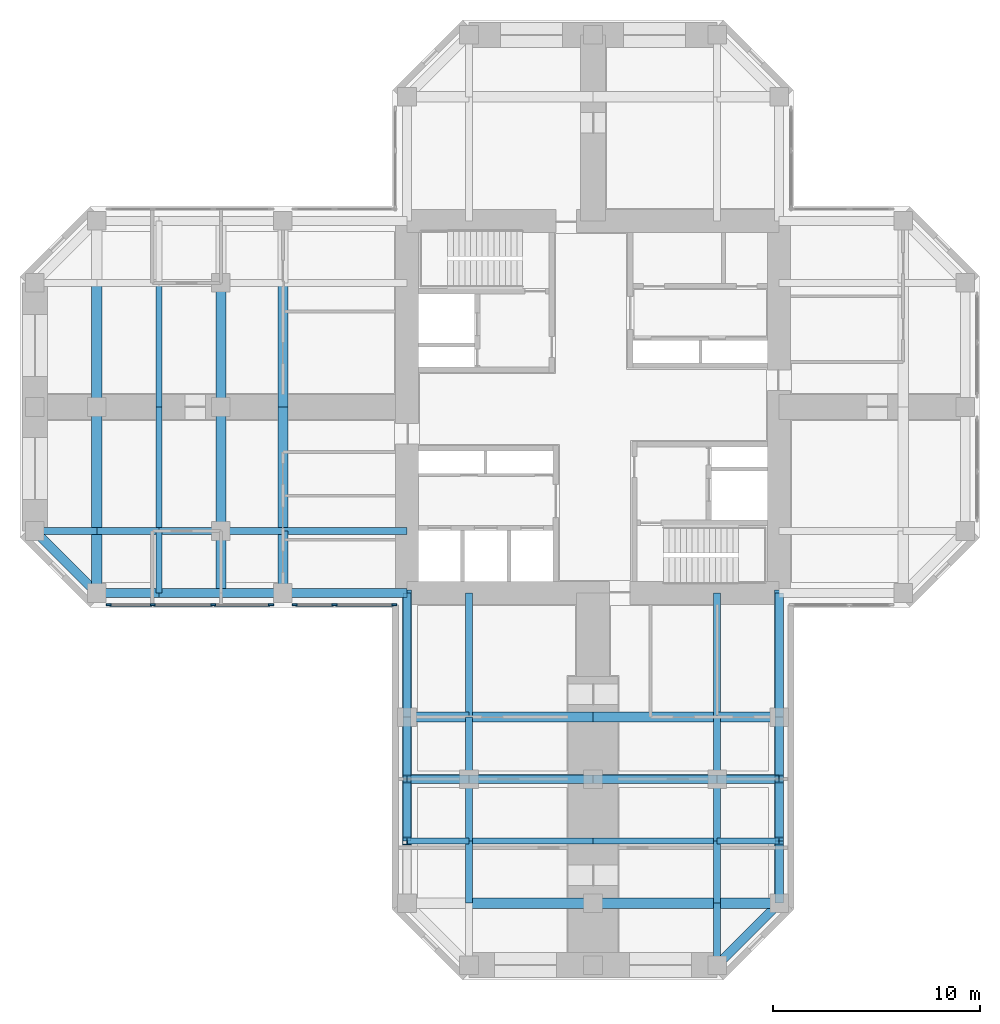
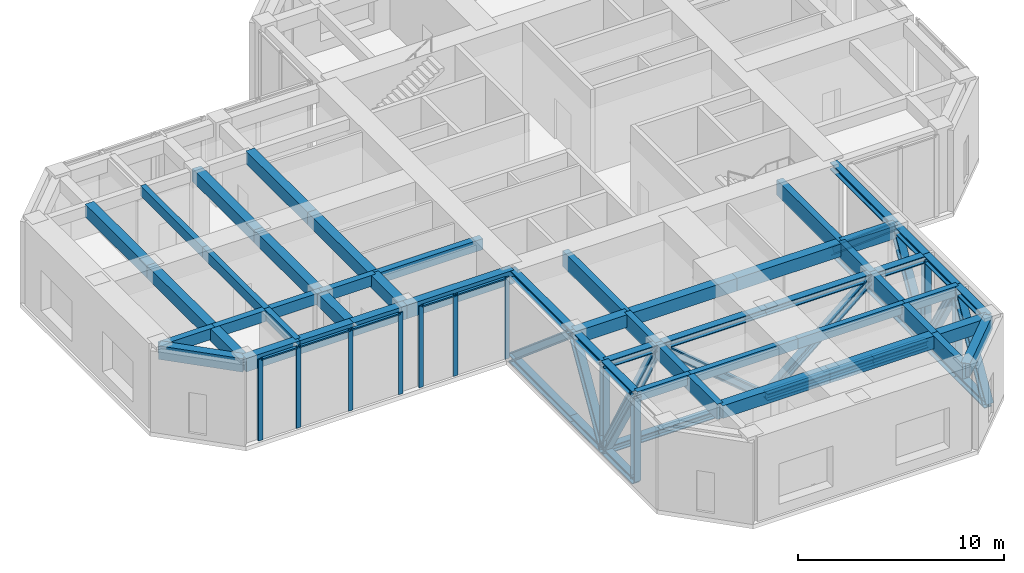
# One storey, part 2 of 10: 49 members, 43 beams, 1 element without a shape of its own.
"""IFC4 building model written with IfcOpenShell, lengths in metres."""

from ifc_helpers import new_model, si_unit, direction, frame, origin, origin_2d, place, context, subcontext, project, spatial, rectangle, i_section, extrude, material, material_profile, profile_set, type_object, element, aggregate, save


model = new_model("IFC4")

# Units and contexts
model_context = context("Model", 3, precision=1e-05, world=origin(), true_north=direction((0.0, 1.0)))
body_context = subcontext(model_context, "Body", "Model", "MODEL_VIEW")
ifc_project = project(units=[si_unit("LENGTHUNIT", "METRE"), si_unit("AREAUNIT", "SQUARE_METRE"), si_unit("VOLUMEUNIT", "CUBIC_METRE"), si_unit("PLANEANGLEUNIT", "RADIAN"), si_unit("MASSUNIT", "GRAM", prefix="KILO")], contexts=[model_context])

# Site, building, storey
site_placement = place(None, origin())
site = spatial("IfcSite", under=ifc_project, at=site_placement, CompositionType="ELEMENT")
building_placement = place(site_placement, origin())
building = spatial("IfcBuilding", under=site, at=building_placement, Name="Torre Cruceta", CompositionType="ELEMENT")
storey_placement = place(building_placement, frame((0.0, 0.0, 217.10009765625)))
storey = spatial("IfcBuildingStorey", under=building, at=storey_placement, Name="L55", CompositionType="ELEMENT", Elevation=217.10009765625)

# Members
ifc_material_1 = material(Name="Steel A913 Gr65", Category="steel")
ifc_material_profile_1 = material_profile(ifc_material_1, i_section(OverallWidth=0.406494140625, OverallDepth=0.41650390625, WebThickness=0.030029296875, FlangeThickness=0.048095703125, at=origin_2d()), Name="W14X257")
ifc_profile_set_1 = profile_set([ifc_material_profile_1], Name="Steel A913 Gr65")
member_type_1 = type_object("IfcMemberType", Name="BELT TRUSS CHORD 3 W14X257", PredefinedType="CHORD", material=ifc_profile_set_1)
for number, where, z_axis, x_axis, name in (
    (1, (-9.0, -9.0, -0.45849609375), (0.0, -1.0, 0.0), (1.0, 0.0, 0.0), "Belt truss 3 S-B1"),
    (2, (-9.0, -9.0, 4.611572265625), (0.0, -1.0, 0.0), (1.0, 0.0, 0.0), "Belt truss 3 S-T1"),
):
    element("IfcMember", number, at=place(storey_placement, frame(where, z_axis=z_axis, x_axis=x_axis)), inside=storey, type_object=member_type_1, Name=name, PredefinedType="CHORD", context=body_context, shape_type="SweptSolid", body=[
        extrude(i_section(OverallWidth=0.406494140625, OverallDepth=0.41650390625, WebThickness=0.030029296875, FlangeThickness=0.048095703125, at=origin_2d()), origin(), (0.0, 0.0, 1.0), 6.0),
    ])
for number, where, z_axis, x_axis, name in (
    (3, (-9.0, -15.0, -0.45849609375), (0.0, -1.0, 0.0), (1.0, 0.0, 0.0), "Belt truss 3 S-B2"),
    (4, (-9.0, -15.0, 4.611572265625), (0.0, -1.0, 0.0), (1.0, 0.0, 0.0), "Belt truss 3 S-T2"),
    (5, (-9.0, -18.0, -0.45849609375), (0.0, -1.0, 0.0), (1.0, 0.0, 0.0), "Belt truss 3 S-B3"),
    (6, (-9.0, -18.0, 4.611572265625), (0.0, -1.0, 0.0), (1.0, 0.0, 0.0), "Belt truss 3 S-T3"),
):
    element("IfcMember", number, at=place(storey_placement, frame(where, z_axis=z_axis, x_axis=x_axis)), inside=storey, type_object=member_type_1, Name=name, PredefinedType="CHORD", context=body_context, shape_type="SweptSolid", body=[
        extrude(i_section(OverallWidth=0.406494140625, OverallDepth=0.41650390625, WebThickness=0.030029296875, FlangeThickness=0.048095703125, at=origin_2d()), origin(), (0.0, 0.0, 1.0), 3.0),
    ])
for number, where, z_axis, x_axis, name in (
    (7, (9.0, -9.0, -0.45849609375), (0.0, -1.0, 0.0), (1.0, 0.0, 0.0), "Belt truss 3 S+B1"),
    (8, (9.0, -9.0, 4.611572265625), (0.0, -1.0, 0.0), (1.0, 0.0, 0.0), "Belt truss 3 S+T1"),
):
    element("IfcMember", number, at=place(storey_placement, frame(where, z_axis=z_axis, x_axis=x_axis)), inside=storey, type_object=member_type_1, Name=name, PredefinedType="CHORD", context=body_context, shape_type="SweptSolid", body=[
        extrude(i_section(OverallWidth=0.406494140625, OverallDepth=0.41650390625, WebThickness=0.030029296875, FlangeThickness=0.048095703125, at=origin_2d()), origin(), (0.0, 0.0, 1.0), 6.0),
    ])
for number, where, z_axis, x_axis, name in (
    (9, (9.0, -15.0, -0.45849609375), (0.0, -1.0, 0.0), (1.0, 0.0, 0.0), "Belt truss 3 S+B2"),
    (10, (9.0, -15.0, 4.611572265625), (0.0, -1.0, 0.0), (1.0, 0.0, 0.0), "Belt truss 3 S+T2"),
    (11, (9.0, -18.0, -0.45849609375), (0.0, -1.0, 0.0), (1.0, 0.0, 0.0), "Belt truss 3 S+B3"),
    (12, (9.0, -18.0, 4.611572265625), (0.0, -1.0, 0.0), (1.0, 0.0, 0.0), "Belt truss 3 S+T3"),
    (13, (9.0, -21.0, -0.45849609375), (0.0, -1.0, 0.0), (1.0, 0.0, 0.0), "Belt truss 3 S+B4"),
    (14, (9.0, -21.0, 4.611572265625), (0.0, -1.0, 0.0), (1.0, 0.0, 0.0), "Belt truss 3 S+T4"),
    (15, (-9.0, -18.0, -0.45849609375), (1.0, 0.0, 0.0), (0.0, 1.0, 0.0), "Belt truss 3 XB1"),
    (16, (-9.0, -18.0, 4.611572265625), (1.0, 0.0, 0.0), (0.0, 1.0, 0.0), "Belt truss 3 XT1"),
):
    element("IfcMember", number, at=place(storey_placement, frame(where, z_axis=z_axis, x_axis=x_axis)), inside=storey, type_object=member_type_1, Name=name, PredefinedType="CHORD", context=body_context, shape_type="SweptSolid", body=[
        extrude(i_section(OverallWidth=0.406494140625, OverallDepth=0.41650390625, WebThickness=0.030029296875, FlangeThickness=0.048095703125, at=origin_2d()), origin(), (0.0, 0.0, 1.0), 3.0),
    ])
for number, where, z_axis, x_axis, name in (
    (17, (-6.0, -18.0, -0.45849609375), (1.0, 0.0, 0.0), (0.0, 1.0, 0.0), "Belt truss 3 XB2"),
    (18, (-6.0, -18.0, 4.611572265625), (1.0, 0.0, 0.0), (0.0, 1.0, 0.0), "Belt truss 3 XT2"),
    (19, (0.0, -18.0, -0.45849609375), (1.0, 0.0, 0.0), (0.0, 1.0, 0.0), "Belt truss 3 XB3"),
    (20, (0.0, -18.0, 4.611572265625), (1.0, 0.0, 0.0), (0.0, 1.0, 0.0), "Belt truss 3 XT3"),
):
    element("IfcMember", number, at=place(storey_placement, frame(where, z_axis=z_axis, x_axis=x_axis)), inside=storey, type_object=member_type_1, Name=name, PredefinedType="CHORD", context=body_context, shape_type="SweptSolid", body=[
        extrude(i_section(OverallWidth=0.406494140625, OverallDepth=0.41650390625, WebThickness=0.030029296875, FlangeThickness=0.048095703125, at=origin_2d()), origin(), (0.0, 0.0, 1.0), 6.0),
    ])
for number, where, z_axis, x_axis, name in (
    (21, (6.0, -18.0, -0.45849609375), (1.0, 0.0, 0.0), (0.0, 1.0, 0.0), "Belt truss 3 XB4"),
    (22, (6.0, -18.0, 4.611572265625), (1.0, 0.0, 0.0), (0.0, 1.0, 0.0), "Belt truss 3 XT4"),
):
    element("IfcMember", number, at=place(storey_placement, frame(where, z_axis=z_axis, x_axis=x_axis)), inside=storey, type_object=member_type_1, Name=name, PredefinedType="CHORD", context=body_context, shape_type="SweptSolid", body=[
        extrude(i_section(OverallWidth=0.406494140625, OverallDepth=0.41650390625, WebThickness=0.030029296875, FlangeThickness=0.048095703125, at=origin_2d()), origin(), (0.0, 0.0, 1.0), 3.0),
    ])
ifc_material_2 = material(Name="Steel A913 Gr65", Category="steel")
ifc_material_profile_2 = material_profile(ifc_material_2, i_section(OverallWidth=0.419189453125, OverallDepth=0.45458984375, WebThickness=0.042236328125, FlangeThickness=0.067626953125, at=origin_2d()), Name="W14X370")
ifc_profile_set_2 = profile_set([ifc_material_profile_2], Name="Steel A913 Gr65")
member_type_2 = type_object("IfcMemberType", Name="BELT TRUSS DIAGONAL 3 W14X370", PredefinedType="BRACE", material=ifc_profile_set_2)
member_1_placement = place(storey_placement, frame((-9.0, -9.0, -0.45849609375), z_axis=(0.0, -0.763816410038, 0.645433568818), x_axis=(1.0, 0.0, 0.0)))
element("IfcMember", 23, at=member_1_placement, inside=storey, type_object=member_type_2, Name="Belt truss 3 S-D1", PredefinedType="BRACE", context=body_context, shape_type="SweptSolid", body=[
    extrude(i_section(OverallWidth=0.419189453125, OverallDepth=0.45458984375, WebThickness=0.042236328125, FlangeThickness=0.067626953125, at=origin_2d()), origin(), (0.0, 0.0, 1.0), 7.855224609375),
])
for number, where, z_axis, x_axis, name in (
    (24, (-9.0, -18.0, -0.45849609375), (0.0, 0.50923883856, 0.860625240916), (-1.0, 0.0, 0.0), "Belt truss 3 S-D2"),
    (25, (-9.0, -18.0, -0.45849609375), (0.0, -0.50923883856, 0.860625240916), (1.0, 0.0, 0.0), "Belt truss 3 S-D3"),
):
    element("IfcMember", number, at=place(storey_placement, frame(where, z_axis=z_axis, x_axis=x_axis)), inside=storey, type_object=member_type_2, Name=name, PredefinedType="BRACE", context=body_context, shape_type="SweptSolid", body=[
        extrude(i_section(OverallWidth=0.419189453125, OverallDepth=0.45458984375, WebThickness=0.042236328125, FlangeThickness=0.067626953125, at=origin_2d()), origin(), (0.0, 0.0, 1.0), 5.89111328125),
    ])
member_2_placement = place(storey_placement, frame((9.0, -9.0, -0.45849609375), z_axis=(0.0, -0.763816410038, 0.645433568818), x_axis=(1.0, 0.0, 0.0)))
element("IfcMember", 26, at=member_2_placement, inside=storey, type_object=member_type_2, Name="Belt truss 3 S+D1", PredefinedType="BRACE", context=body_context, shape_type="SweptSolid", body=[
    extrude(i_section(OverallWidth=0.419189453125, OverallDepth=0.45458984375, WebThickness=0.042236328125, FlangeThickness=0.067626953125, at=origin_2d()), origin(), (0.0, 0.0, 1.0), 7.855224609375),
])
for number, where, z_axis, x_axis, name in (
    (27, (9.0, -18.0, -0.45849609375), (0.0, 0.50923883856, 0.860625240916), (-1.0, 0.0, 0.0), "Belt truss 3 S+D2"),
    (28, (9.0, -18.0, -0.45849609375), (0.0, -0.50923883856, 0.860625240916), (1.0, 0.0, 0.0), "Belt truss 3 S+D3"),
    (29, (9.0, -24.0, -0.45849609375), (0.0, 0.50923883856, 0.860625240916), (-1.0, 0.0, 0.0), "Belt truss 3 S+D4"),
    (30, (-9.0, -18.0, -0.45849609375), (0.50923883856, 0.0, 0.860625240916), (0.0, 1.0, 0.0), "Belt truss 3 XD1"),
):
    element("IfcMember", number, at=place(storey_placement, frame(where, z_axis=z_axis, x_axis=x_axis)), inside=storey, type_object=member_type_2, Name=name, PredefinedType="BRACE", context=body_context, shape_type="SweptSolid", body=[
        extrude(i_section(OverallWidth=0.419189453125, OverallDepth=0.45458984375, WebThickness=0.042236328125, FlangeThickness=0.067626953125, at=origin_2d()), origin(), (0.0, 0.0, 1.0), 5.89111328125),
    ])
for number, where, z_axis, x_axis, name in (
    (31, (0.0, -18.0, -0.45849609375), (-0.763816410038, 0.0, 0.645433568818), (0.0, -1.0, 0.0), "Belt truss 3 XD2"),
    (32, (0.0, -18.0, -0.45849609375), (0.763816410038, 0.0, 0.645433568818), (0.0, 1.0, 0.0), "Belt truss 3 XD3"),
):
    element("IfcMember", number, at=place(storey_placement, frame(where, z_axis=z_axis, x_axis=x_axis)), inside=storey, type_object=member_type_2, Name=name, PredefinedType="BRACE", context=body_context, shape_type="SweptSolid", body=[
        extrude(i_section(OverallWidth=0.419189453125, OverallDepth=0.45458984375, WebThickness=0.042236328125, FlangeThickness=0.067626953125, at=origin_2d()), origin(), (0.0, 0.0, 1.0), 7.855224609375),
    ])
member_3_placement = place(storey_placement, frame((9.0, -18.0, -0.45849609375), z_axis=(-0.50923883856, 0.0, 0.860625240916), x_axis=(0.0, -1.0, 0.0)))
element("IfcMember", 33, at=member_3_placement, inside=storey, type_object=member_type_2, Name="Belt truss 3 XD4", PredefinedType="BRACE", context=body_context, shape_type="SweptSolid", body=[
    extrude(i_section(OverallWidth=0.419189453125, OverallDepth=0.45458984375, WebThickness=0.042236328125, FlangeThickness=0.067626953125, at=origin_2d()), origin(), (0.0, 0.0, 1.0), 5.89111328125),
])
ifc_material_3 = material(Name="Steel A913 Gr65", Category="steel")
ifc_material_profile_3 = material_profile(ifc_material_3, i_section(OverallWidth=0.373291015625, OverallDepth=0.368408203125, WebThickness=0.014892578125, FlangeThickness=0.02392578125, at=origin_2d()), Name="W14X120")
ifc_profile_set_3 = profile_set([ifc_material_profile_3], Name="Steel A913 Gr65")
member_type_3 = type_object("IfcMemberType", Name="BELT TRUSS POST 3 W14X120", PredefinedType="POST", material=ifc_profile_set_3)
for number, where, z_axis, x_axis, name in (
    (34, (-9.0, -18.0, -0.45849609375), (0.0, 0.0, 1.0), (1.0, 0.0, 0.0), "Belt truss 3 S-P18"),
    (35, (-9.0, -21.0, -0.45849609375), (0.0, 0.0, 1.0), (1.0, 0.0, 0.0), "Belt truss 3 S-P21"),
    (36, (9.0, -18.0, -0.45849609375), (0.0, 0.0, 1.0), (1.0, 0.0, 0.0), "Belt truss 3 S+P18"),
    (37, (9.0, -21.0, -0.45849609375), (0.0, 0.0, 1.0), (1.0, 0.0, 0.0), "Belt truss 3 S+P21"),
):
    element("IfcMember", number, at=place(storey_placement, frame(where, z_axis=z_axis, x_axis=x_axis)), inside=storey, type_object=member_type_3, Name=name, PredefinedType="POST", context=body_context, shape_type="SweptSolid", body=[
        extrude(i_section(OverallWidth=0.373291015625, OverallDepth=0.368408203125, WebThickness=0.014892578125, FlangeThickness=0.02392578125, at=origin_2d()), origin(), (0.0, 0.0, 1.0), 5.070068359375),
    ])

# Beams
ifc_material_4 = material(Name="Concrete G60 (fck 60 MPa)", Category="concrete")
ifc_material_profile_4 = material_profile(ifc_material_4, rectangle(XDim=0.35009765625, YDim=0.64990234375, at=origin_2d()), Name="RC 350X650")
ifc_profile_set_4 = profile_set([ifc_material_profile_4], Name="Concrete G60 (fck 60 MPa)")
beam_type_1 = type_object("IfcBeamType", Name="COLUMN LINE BEAM RC 350X650", PredefinedType="BEAM", material=ifc_profile_set_4)
beam_1_placement = place(storey_placement, frame((-9.0, -6.0, 4.494873046875), z_axis=(-1.0, 0.0, 0.0), x_axis=(0.0, -1.0, 0.0)))
element("IfcBeam", 38, at=beam_1_placement, inside=storey, type_object=beam_type_1, Name="LB7 L55 W col+ 1", PredefinedType="BEAM", context=body_context, shape_type="SweptSolid", body=[
    extrude(rectangle(XDim=0.35009765625, YDim=0.64990234375, at=origin_2d()), origin(), (0.0, 0.0, 1.0), 6.0),
])
for number, where, z_axis, x_axis, name in (
    (39, (-15.0, -6.0, 4.494873046875), (-1.0, 0.0, 0.0), (0.0, -1.0, 0.0), "LB7 L55 W col+ 2"),
    (40, (-18.0, -6.0, 4.494873046875), (-1.0, 0.0, 0.0), (0.0, -1.0, 0.0), "LB7 L55 W col+ 3"),
    (41, (-21.0, -6.0, 4.494873046875), (-1.0, 0.0, 0.0), (0.0, -1.0, 0.0), "LB7 L55 W col+ 4"),
    (42, (-24.0, -6.0, 4.494873046875), (-1.0, 0.0, 0.0), (0.0, -1.0, 0.0), "LB7 L55 W col+ 5"),
):
    element("IfcBeam", number, at=place(storey_placement, frame(where, z_axis=z_axis, x_axis=x_axis)), inside=storey, type_object=beam_type_1, Name=name, PredefinedType="BEAM", context=body_context, shape_type="SweptSolid", body=[
        extrude(rectangle(XDim=0.35009765625, YDim=0.64990234375, at=origin_2d()), origin(), (0.0, 0.0, 1.0), 3.0),
    ])
ifc_material_5 = material(Name="Concrete G60 (fck 60 MPa)", Category="concrete")
ifc_material_profile_5 = material_profile(ifc_material_5, rectangle(XDim=0.35009765625, YDim=0.89990234375, at=origin_2d()), Name="RC 350X900")
ifc_profile_set_5 = profile_set([ifc_material_profile_5], Name="Concrete G60 (fck 60 MPa)")
beam_type_2 = type_object("IfcBeamType", Name="COLUMN LINE BEAM RC 350X900", PredefinedType="BEAM", material=ifc_profile_set_5)
beam_2_placement = place(storey_placement, frame((-6.0, -9.0, 4.369873046875), z_axis=(0.0, -1.0, 0.0), x_axis=(1.0, 0.0, 0.0)))
element("IfcBeam", 43, at=beam_2_placement, inside=storey, type_object=beam_type_2, Name="LB8 L55 S col- 1", PredefinedType="BEAM", context=body_context, shape_type="SweptSolid", body=[
    extrude(rectangle(XDim=0.35009765625, YDim=0.89990234375, at=origin_2d()), origin(), (0.0, 0.0, 1.0), 6.0),
])
for number, where, z_axis, x_axis, name in (
    (44, (-6.0, -15.0, 4.369873046875), (0.0, -1.0, 0.0), (1.0, 0.0, 0.0), "LB8 L55 S col- 2"),
    (45, (-6.0, -18.0, 4.369873046875), (0.0, -1.0, 0.0), (1.0, 0.0, 0.0), "LB8 L55 S col- 3"),
    (46, (-6.0, -21.0, 4.369873046875), (0.0, -1.0, 0.0), (1.0, 0.0, 0.0), "LB8 L55 S col- 4"),
):
    element("IfcBeam", number, at=place(storey_placement, frame(where, z_axis=z_axis, x_axis=x_axis)), inside=storey, type_object=beam_type_2, Name=name, PredefinedType="BEAM", context=body_context, shape_type="SweptSolid", body=[
        extrude(rectangle(XDim=0.35009765625, YDim=0.89990234375, at=origin_2d()), origin(), (0.0, 0.0, 1.0), 3.0),
    ])
beam_3_placement = place(storey_placement, frame((6.0, -9.0, 4.369873046875), z_axis=(0.0, -1.0, 0.0), x_axis=(1.0, 0.0, 0.0)))
element("IfcBeam", 47, at=beam_3_placement, inside=storey, type_object=beam_type_2, Name="LB8 L55 S col+ 1", PredefinedType="BEAM", context=body_context, shape_type="SweptSolid", body=[
    extrude(rectangle(XDim=0.35009765625, YDim=0.89990234375, at=origin_2d()), origin(), (0.0, 0.0, 1.0), 6.0),
])
for number, where, z_axis, x_axis, name in (
    (48, (6.0, -15.0, 4.369873046875), (0.0, -1.0, 0.0), (1.0, 0.0, 0.0), "LB8 L55 S col+ 2"),
    (49, (6.0, -18.0, 4.369873046875), (0.0, -1.0, 0.0), (1.0, 0.0, 0.0), "LB8 L55 S col+ 3"),
    (50, (6.0, -21.0, 4.369873046875), (0.0, -1.0, 0.0), (1.0, 0.0, 0.0), "LB8 L55 S col+ 4"),
    (51, (6.0, -24.0, 4.369873046875), (0.0, -1.0, 0.0), (1.0, 0.0, 0.0), "LB8 L55 S col+ 5"),
):
    element("IfcBeam", number, at=place(storey_placement, frame(where, z_axis=z_axis, x_axis=x_axis)), inside=storey, type_object=beam_type_2, Name=name, PredefinedType="BEAM", context=body_context, shape_type="SweptSolid", body=[
        extrude(rectangle(XDim=0.35009765625, YDim=0.89990234375, at=origin_2d()), origin(), (0.0, 0.0, 1.0), 3.0),
    ])
ifc_material_6 = material(Name="Concrete G60 (fck 60 MPa)", Category="concrete")
ifc_material_profile_6 = material_profile(ifc_material_6, rectangle(XDim=0.5, YDim=0.75, at=origin_2d()), Name="RC 500X750")
ifc_profile_set_6 = profile_set([ifc_material_profile_6], Name="Concrete G60 (fck 60 MPa)")
beam_type_3 = type_object("IfcBeamType", Name="CROSS BEAM RC 500X750", PredefinedType="BEAM", material=ifc_profile_set_6)
beam_4_placement = place(storey_placement, frame((-9.0, -15.0, 4.44482421875), z_axis=(1.0, 0.0, 0.0), x_axis=(0.0, 1.0, 0.0)))
element("IfcBeam", 52, at=beam_4_placement, inside=storey, type_object=beam_type_3, Name="GB6 L55 S cross15 1", PredefinedType="BEAM", context=body_context, shape_type="SweptSolid", body=[
    extrude(rectangle(XDim=0.5, YDim=0.75, at=origin_2d()), origin(), (0.0, 0.0, 1.0), 3.0),
])
for number, where, z_axis, x_axis, name in (
    (53, (-6.0, -15.0, 4.44482421875), (1.0, 0.0, 0.0), (0.0, 1.0, 0.0), "GB6 L55 S cross15 2"),
    (54, (0.0, -15.0, 4.44482421875), (1.0, 0.0, 0.0), (0.0, 1.0, 0.0), "GB6 L55 S cross15 3"),
):
    element("IfcBeam", number, at=place(storey_placement, frame(where, z_axis=z_axis, x_axis=x_axis)), inside=storey, type_object=beam_type_3, Name=name, PredefinedType="BEAM", context=body_context, shape_type="SweptSolid", body=[
        extrude(rectangle(XDim=0.5, YDim=0.75, at=origin_2d()), origin(), (0.0, 0.0, 1.0), 6.0),
    ])
beam_5_placement = place(storey_placement, frame((6.0, -15.0, 4.44482421875), z_axis=(1.0, 0.0, 0.0), x_axis=(0.0, 1.0, 0.0)))
element("IfcBeam", 55, at=beam_5_placement, inside=storey, type_object=beam_type_3, Name="GB6 L55 S cross15 4", PredefinedType="BEAM", context=body_context, shape_type="SweptSolid", body=[
    extrude(rectangle(XDim=0.5, YDim=0.75, at=origin_2d()), origin(), (0.0, 0.0, 1.0), 3.0),
])
for number, where, z_axis, x_axis, name in (
    (56, (-6.0, -24.0, 4.44482421875), (1.0, 0.0, 0.0), (0.0, 1.0, 0.0), "GB6 L55 S cross24 2"),
    (57, (0.0, -24.0, 4.44482421875), (1.0, 0.0, 0.0), (0.0, 1.0, 0.0), "GB6 L55 S cross24 3"),
):
    element("IfcBeam", number, at=place(storey_placement, frame(where, z_axis=z_axis, x_axis=x_axis)), inside=storey, type_object=beam_type_3, Name=name, PredefinedType="BEAM", context=body_context, shape_type="SweptSolid", body=[
        extrude(rectangle(XDim=0.5, YDim=0.75, at=origin_2d()), origin(), (0.0, 0.0, 1.0), 6.0),
    ])
beam_6_placement = place(storey_placement, frame((6.0, -24.0, 4.44482421875), z_axis=(1.0, 0.0, 0.0), x_axis=(0.0, 1.0, 0.0)))
element("IfcBeam", 58, at=beam_6_placement, inside=storey, type_object=beam_type_3, Name="GB6 L55 S cross24 4", PredefinedType="BEAM", context=body_context, shape_type="SweptSolid", body=[
    extrude(rectangle(XDim=0.5, YDim=0.75, at=origin_2d()), origin(), (0.0, 0.0, 1.0), 3.0),
])
for number, where, z_axis, x_axis, name in (
    (59, (-15.0, 6.0, 4.44482421875), (0.0, -1.0, 0.0), (1.0, 0.0, 0.0), "GB6 L55 W cross15 2"),
    (60, (-15.0, 0.0, 4.44482421875), (0.0, -1.0, 0.0), (1.0, 0.0, 0.0), "GB6 L55 W cross15 3"),
):
    element("IfcBeam", number, at=place(storey_placement, frame(where, z_axis=z_axis, x_axis=x_axis)), inside=storey, type_object=beam_type_3, Name=name, PredefinedType="BEAM", context=body_context, shape_type="SweptSolid", body=[
        extrude(rectangle(XDim=0.5, YDim=0.75, at=origin_2d()), origin(), (0.0, 0.0, 1.0), 6.0),
    ])
beam_7_placement = place(storey_placement, frame((-15.0, -6.0, 4.44482421875), z_axis=(0.0, -1.0, 0.0), x_axis=(1.0, 0.0, 0.0)))
element("IfcBeam", 61, at=beam_7_placement, inside=storey, type_object=beam_type_3, Name="GB6 L55 W cross15 4", PredefinedType="BEAM", context=body_context, shape_type="SweptSolid", body=[
    extrude(rectangle(XDim=0.5, YDim=0.75, at=origin_2d()), origin(), (0.0, 0.0, 1.0), 3.0),
])
for number, where, z_axis, x_axis, name in (
    (62, (-18.0, 6.0, 4.44482421875), (0.0, -1.0, 0.0), (1.0, 0.0, 0.0), "GB6 L55 W cross18 2"),
    (63, (-18.0, 0.0, 4.44482421875), (0.0, -1.0, 0.0), (1.0, 0.0, 0.0), "GB6 L55 W cross18 3"),
):
    element("IfcBeam", number, at=place(storey_placement, frame(where, z_axis=z_axis, x_axis=x_axis)), inside=storey, type_object=beam_type_3, Name=name, PredefinedType="BEAM", context=body_context, shape_type="SweptSolid", body=[
        extrude(rectangle(XDim=0.5, YDim=0.75, at=origin_2d()), origin(), (0.0, 0.0, 1.0), 6.0),
    ])
beam_8_placement = place(storey_placement, frame((-18.0, -6.0, 4.44482421875), z_axis=(0.0, -1.0, 0.0), x_axis=(1.0, 0.0, 0.0)))
element("IfcBeam", 64, at=beam_8_placement, inside=storey, type_object=beam_type_3, Name="GB6 L55 W cross18 4", PredefinedType="BEAM", context=body_context, shape_type="SweptSolid", body=[
    extrude(rectangle(XDim=0.5, YDim=0.75, at=origin_2d()), origin(), (0.0, 0.0, 1.0), 3.0),
])
for number, where, z_axis, x_axis, name in (
    (65, (-24.0, 6.0, 4.44482421875), (0.0, -1.0, 0.0), (1.0, 0.0, 0.0), "GB6 L55 W cross24 2"),
    (66, (-24.0, 0.0, 4.44482421875), (0.0, -1.0, 0.0), (1.0, 0.0, 0.0), "GB6 L55 W cross24 3"),
):
    element("IfcBeam", number, at=place(storey_placement, frame(where, z_axis=z_axis, x_axis=x_axis)), inside=storey, type_object=beam_type_3, Name=name, PredefinedType="BEAM", context=body_context, shape_type="SweptSolid", body=[
        extrude(rectangle(XDim=0.5, YDim=0.75, at=origin_2d()), origin(), (0.0, 0.0, 1.0), 6.0),
    ])
beam_9_placement = place(storey_placement, frame((-24.0, -6.0, 4.44482421875), z_axis=(0.0, -1.0, 0.0), x_axis=(1.0, 0.0, 0.0)))
element("IfcBeam", 67, at=beam_9_placement, inside=storey, type_object=beam_type_3, Name="GB6 L55 W cross24 4", PredefinedType="BEAM", context=body_context, shape_type="SweptSolid", body=[
    extrude(rectangle(XDim=0.5, YDim=0.75, at=origin_2d()), origin(), (0.0, 0.0, 1.0), 3.0),
])

# Curtain wall, members
ifc_material_7 = material(Name="Aluminium unitised curtain wall", Category="aluminium")
curtain_wall_type = type_object("IfcCurtainWallType", Name="CURTAIN WALL CW-S SKY GARDEN", PredefinedType="USERDEFINED", material=ifc_material_7)
curtain_wall_placement = place(storey_placement, origin())
curtain_wall = element("IfcCurtainWall", 68, at=curtain_wall_placement, inside=storey, type_object=curtain_wall_type, Name="CW-S L55 W side 14", ObjectType="UNITISED", PredefinedType="USERDEFINED")
ifc_material_8 = material(Name="Aluminium mullion", Category="aluminium")
ifc_material_profile_7 = material_profile(ifc_material_8, rectangle(XDim=0.080078125, YDim=0.25, at=origin_2d()), Name="AL 80X250")
ifc_profile_set_7 = profile_set([ifc_material_profile_7], Name="Aluminium mullion")
member_type_4 = type_object("IfcMemberType", Name="CW-S MULLION 80X250", PredefinedType="MULLION", material=ifc_profile_set_7)
member_4_placement = place(storey_placement, frame((-23.424072265625, -9.570068359375, 0.0), z_axis=(0.0, 0.0, 1.0), x_axis=(0.0, 1.0, 0.0)))
member_4 = element("IfcMember", 69, at=member_4_placement, type_object=member_type_4, Name="CW-S mullion 1", PredefinedType="MULLION", context=body_context, shape_type="SweptSolid", body=[
    extrude(rectangle(XDim=0.080078125, YDim=0.25, at=origin_2d()), origin(), (0.0, 0.0, 1.0), 4.81982421875),
])
member_5_placement = place(storey_placement, frame((-21.302978515625, -9.570068359375, 0.0), z_axis=(0.0, 0.0, 1.0), x_axis=(0.0, 1.0, 0.0)))
member_5 = element("IfcMember", 70, at=member_5_placement, type_object=member_type_4, Name="CW-S mullion 2", PredefinedType="MULLION", context=body_context, shape_type="SweptSolid", body=[
    extrude(rectangle(XDim=0.080078125, YDim=0.25, at=origin_2d()), origin(), (0.0, 0.0, 1.0), 4.81982421875),
])
member_6_placement = place(storey_placement, frame((-18.36962890625, -9.570068359375, 0.0), z_axis=(0.0, 0.0, 1.0), x_axis=(0.0, 1.0, 0.0)))
member_6 = element("IfcMember", 71, at=member_6_placement, type_object=member_type_4, Name="CW-S mullion 3", PredefinedType="MULLION", context=body_context, shape_type="SweptSolid", body=[
    extrude(rectangle(XDim=0.080078125, YDim=0.25, at=origin_2d()), origin(), (0.0, 0.0, 1.0), 4.81982421875),
])
member_7_placement = place(storey_placement, frame((-15.575927734375, -9.570068359375, 0.0), z_axis=(0.0, 0.0, 1.0), x_axis=(0.0, 1.0, 0.0)))
member_7 = element("IfcMember", 72, at=member_7_placement, type_object=member_type_4, Name="CW-S mullion 4", PredefinedType="MULLION", context=body_context, shape_type="SweptSolid", body=[
    extrude(rectangle(XDim=0.080078125, YDim=0.25, at=origin_2d()), origin(), (0.0, 0.0, 1.0), 4.81982421875),
])
member_8_placement = place(storey_placement, frame((-14.424072265625, -9.570068359375, 0.0), z_axis=(0.0, 0.0, 1.0), x_axis=(0.0, 1.0, 0.0)))
member_8 = element("IfcMember", 73, at=member_8_placement, type_object=member_type_4, Name="CW-S mullion 5", PredefinedType="MULLION", context=body_context, shape_type="SweptSolid", body=[
    extrude(rectangle(XDim=0.080078125, YDim=0.25, at=origin_2d()), origin(), (0.0, 0.0, 1.0), 4.81982421875),
])
member_9_placement = place(storey_placement, frame((-12.503173828125, -9.570068359375, 0.0), z_axis=(0.0, 0.0, 1.0), x_axis=(0.0, 1.0, 0.0)))
member_9 = element("IfcMember", 74, at=member_9_placement, type_object=member_type_4, Name="CW-S mullion 6", PredefinedType="MULLION", context=body_context, shape_type="SweptSolid", body=[
    extrude(rectangle(XDim=0.080078125, YDim=0.25, at=origin_2d()), origin(), (0.0, 0.0, 1.0), 4.81982421875),
])
member_10_placement = place(storey_placement, frame((-9.610107421875, -9.570068359375, 0.0), z_axis=(0.0, 0.0, 1.0), x_axis=(0.0, 1.0, 0.0)))
member_10 = element("IfcMember", 75, at=member_10_placement, type_object=member_type_4, Name="CW-S mullion 7", PredefinedType="MULLION", context=body_context, shape_type="SweptSolid", body=[
    extrude(rectangle(XDim=0.080078125, YDim=0.25, at=origin_2d()), origin(), (0.0, 0.0, 1.0), 4.81982421875),
])
ifc_material_9 = material(Name="Aluminium transom", Category="aluminium")
ifc_material_profile_8 = material_profile(ifc_material_9, rectangle(XDim=0.14990234375, YDim=0.080078125, at=origin_2d()), Name="AL 150X80")
ifc_profile_set_8 = profile_set([ifc_material_profile_8], Name="Aluminium transom")
member_type_5 = type_object("IfcMemberType", Name="CW-S TRANSOM 80X150", PredefinedType="USERDEFINED", material=ifc_profile_set_8)
member_11_placement = place(storey_placement, frame((-23.384033203125, -9.570068359375, 4.77978515625), z_axis=(1.0, 0.0, 0.0), x_axis=(0.0, 1.0, 0.0)))
member_11 = element("IfcMember", 76, at=member_11_placement, type_object=member_type_5, Name="CW-S transom 1", ObjectType="TRANSOM", PredefinedType="USERDEFINED", context=body_context, shape_type="SweptSolid", body=[
    extrude(rectangle(XDim=0.14990234375, YDim=0.080078125, at=origin_2d()), origin(), (0.0, 0.0, 1.0), 2.041259765625),
])
member_12_placement = place(storey_placement, frame((-21.262939453125, -9.570068359375, 4.77978515625), z_axis=(1.0, 0.0, 0.0), x_axis=(0.0, 1.0, 0.0)))
member_12 = element("IfcMember", 77, at=member_12_placement, type_object=member_type_5, Name="CW-S transom 2", ObjectType="TRANSOM", PredefinedType="USERDEFINED", context=body_context, shape_type="SweptSolid", body=[
    extrude(rectangle(XDim=0.14990234375, YDim=0.080078125, at=origin_2d()), origin(), (0.0, 0.0, 1.0), 2.853271484375),
])
member_13_placement = place(storey_placement, frame((-18.32958984375, -9.570068359375, 4.77978515625), z_axis=(1.0, 0.0, 0.0), x_axis=(0.0, 1.0, 0.0)))
member_13 = element("IfcMember", 78, at=member_13_placement, type_object=member_type_5, Name="CW-S transom 3", ObjectType="TRANSOM", PredefinedType="USERDEFINED", context=body_context, shape_type="SweptSolid", body=[
    extrude(rectangle(XDim=0.14990234375, YDim=0.080078125, at=origin_2d()), origin(), (0.0, 0.0, 1.0), 2.713623046875),
])
member_14_placement = place(storey_placement, frame((-14.384033203125, -9.570068359375, 4.77978515625), z_axis=(1.0, 0.0, 0.0), x_axis=(0.0, 1.0, 0.0)))
member_14 = element("IfcMember", 79, at=member_14_placement, type_object=member_type_5, Name="CW-S transom 4", ObjectType="TRANSOM", PredefinedType="USERDEFINED", context=body_context, shape_type="SweptSolid", body=[
    extrude(rectangle(XDim=0.14990234375, YDim=0.080078125, at=origin_2d()), origin(), (0.0, 0.0, 1.0), 1.8408203125),
])
member_15_placement = place(storey_placement, frame((-12.463134765625, -9.570068359375, 4.77978515625), z_axis=(1.0, 0.0, 0.0), x_axis=(0.0, 1.0, 0.0)))
member_15 = element("IfcMember", 80, at=member_15_placement, type_object=member_type_5, Name="CW-S transom 5", ObjectType="TRANSOM", PredefinedType="USERDEFINED", context=body_context, shape_type="SweptSolid", body=[
    extrude(rectangle(XDim=0.14990234375, YDim=0.080078125, at=origin_2d()), origin(), (0.0, 0.0, 1.0), 2.813232421875),
])
aggregate(curtain_wall, [member_4, member_5, member_6, member_7, member_8, member_9, member_10, member_11, member_12, member_13, member_14, member_15])

# Beams
ifc_material_10 = material(Name="Concrete G60 (fck 60 MPa)", Category="concrete")
ifc_material_profile_9 = material_profile(ifc_material_10, rectangle(XDim=0.300048828125, YDim=0.60009765625, at=origin_2d()), Name="RC 300X600")
ifc_profile_set_9 = profile_set([ifc_material_profile_9], Name="Concrete G60 (fck 60 MPa)")
beam_type_4 = type_object("IfcBeamType", Name="SECONDARY BEAM RC 300X600", PredefinedType="JOIST", material=ifc_profile_set_9)
beam_10_placement = place(storey_placement, frame((-9.0, -21.0, 4.52001953125), z_axis=(1.0, 0.0, 0.0), x_axis=(0.0, 1.0, 0.0)))
element("IfcBeam", 81, at=beam_10_placement, inside=storey, type_object=beam_type_4, Name="JB6 L55 S sec21 1", PredefinedType="JOIST", context=body_context, shape_type="SweptSolid", body=[
    extrude(rectangle(XDim=0.300048828125, YDim=0.60009765625, at=origin_2d()), origin(), (0.0, 0.0, 1.0), 3.0),
])
for number, where, z_axis, x_axis, name in (
    (82, (-6.0, -21.0, 4.52001953125), (1.0, 0.0, 0.0), (0.0, 1.0, 0.0), "JB6 L55 S sec21 2"),
    (83, (0.0, -21.0, 4.52001953125), (1.0, 0.0, 0.0), (0.0, 1.0, 0.0), "JB6 L55 S sec21 3"),
):
    element("IfcBeam", number, at=place(storey_placement, frame(where, z_axis=z_axis, x_axis=x_axis)), inside=storey, type_object=beam_type_4, Name=name, PredefinedType="JOIST", context=body_context, shape_type="SweptSolid", body=[
        extrude(rectangle(XDim=0.300048828125, YDim=0.60009765625, at=origin_2d()), origin(), (0.0, 0.0, 1.0), 6.0),
    ])
beam_11_placement = place(storey_placement, frame((6.0, -21.0, 4.52001953125), z_axis=(1.0, 0.0, 0.0), x_axis=(0.0, 1.0, 0.0)))
element("IfcBeam", 84, at=beam_11_placement, inside=storey, type_object=beam_type_4, Name="JB6 L55 S sec21 4", PredefinedType="JOIST", context=body_context, shape_type="SweptSolid", body=[
    extrude(rectangle(XDim=0.300048828125, YDim=0.60009765625, at=origin_2d()), origin(), (0.0, 0.0, 1.0), 3.0),
])
for number, where, z_axis, x_axis, name in (
    (85, (-21.0, 6.0, 4.52001953125), (0.0, -1.0, 0.0), (1.0, 0.0, 0.0), "JB6 L55 W sec21 2"),
    (86, (-21.0, 0.0, 4.52001953125), (0.0, -1.0, 0.0), (1.0, 0.0, 0.0), "JB6 L55 W sec21 3"),
):
    element("IfcBeam", number, at=place(storey_placement, frame(where, z_axis=z_axis, x_axis=x_axis)), inside=storey, type_object=beam_type_4, Name=name, PredefinedType="JOIST", context=body_context, shape_type="SweptSolid", body=[
        extrude(rectangle(XDim=0.300048828125, YDim=0.60009765625, at=origin_2d()), origin(), (0.0, 0.0, 1.0), 6.0),
    ])
beam_12_placement = place(storey_placement, frame((-21.0, -6.0, 4.52001953125), z_axis=(0.0, -1.0, 0.0), x_axis=(1.0, 0.0, 0.0)))
element("IfcBeam", 87, at=beam_12_placement, inside=storey, type_object=beam_type_4, Name="JB6 L55 W sec21 4", PredefinedType="JOIST", context=body_context, shape_type="SweptSolid", body=[
    extrude(rectangle(XDim=0.300048828125, YDim=0.60009765625, at=origin_2d()), origin(), (0.0, 0.0, 1.0), 3.0),
])
ifc_material_11 = material(Name="Concrete G60 (fck 60 MPa)", Category="concrete")
ifc_material_profile_10 = material_profile(ifc_material_11, rectangle(XDim=0.449951171875, YDim=0.800048828125, at=origin_2d()), Name="RC 450X800")
ifc_profile_set_10 = profile_set([ifc_material_profile_10], Name="Concrete G60 (fck 60 MPa)")
beam_type_5 = type_object("IfcBeamType", Name="SPANDREL BEAM RC 450X800", PredefinedType="SPANDREL", material=ifc_profile_set_10)
beam_13_placement = place(storey_placement, frame((9.0, -24.0, 4.419921875), z_axis=(-0.707106781187, -0.707106781187, 0.0), x_axis=(0.707106781187, -0.707106781187, 0.0)))
element("IfcBeam", 88, at=beam_13_placement, inside=storey, type_object=beam_type_5, Name="SB6 L55 S side+ 5", PredefinedType="SPANDREL", context=body_context, shape_type="SweptSolid", body=[
    extrude(rectangle(XDim=0.449951171875, YDim=0.800048828125, at=origin_2d()), origin(), (0.0, 0.0, 1.0), 4.24267578125),
])
beam_14_placement = place(storey_placement, frame((-9.0, -9.0, 4.419921875), z_axis=(-1.0, 0.0, 0.0), x_axis=(0.0, -1.0, 0.0)))
element("IfcBeam", 89, at=beam_14_placement, inside=storey, type_object=beam_type_5, Name="SB6 L55 W side+ 1", PredefinedType="SPANDREL", context=body_context, shape_type="SweptSolid", body=[
    extrude(rectangle(XDim=0.449951171875, YDim=0.800048828125, at=origin_2d()), origin(), (0.0, 0.0, 1.0), 6.0),
])
for number, where, z_axis, x_axis, name in (
    (90, (-15.0, -9.0, 4.419921875), (-1.0, 0.0, 0.0), (0.0, -1.0, 0.0), "SB6 L55 W side+ 2"),
    (91, (-18.0, -9.0, 4.419921875), (-1.0, 0.0, 0.0), (0.0, -1.0, 0.0), "SB6 L55 W side+ 3"),
    (92, (-21.0, -9.0, 4.419921875), (-1.0, 0.0, 0.0), (0.0, -1.0, 0.0), "SB6 L55 W side+ 4"),
):
    element("IfcBeam", number, at=place(storey_placement, frame(where, z_axis=z_axis, x_axis=x_axis)), inside=storey, type_object=beam_type_5, Name=name, PredefinedType="SPANDREL", context=body_context, shape_type="SweptSolid", body=[
        extrude(rectangle(XDim=0.449951171875, YDim=0.800048828125, at=origin_2d()), origin(), (0.0, 0.0, 1.0), 3.0),
    ])
beam_15_placement = place(storey_placement, frame((-24.0, -9.0, 4.419921875), z_axis=(-0.707106781187, 0.707106781187, 0.0), x_axis=(-0.707106781187, -0.707106781187, 0.0)))
element("IfcBeam", 93, at=beam_15_placement, inside=storey, type_object=beam_type_5, Name="SB6 L55 W side+ 5", PredefinedType="SPANDREL", context=body_context, shape_type="SweptSolid", body=[
    extrude(rectangle(XDim=0.449951171875, YDim=0.800048828125, at=origin_2d()), origin(), (0.0, 0.0, 1.0), 4.24267578125),
])

save(model, "model.ifc")
